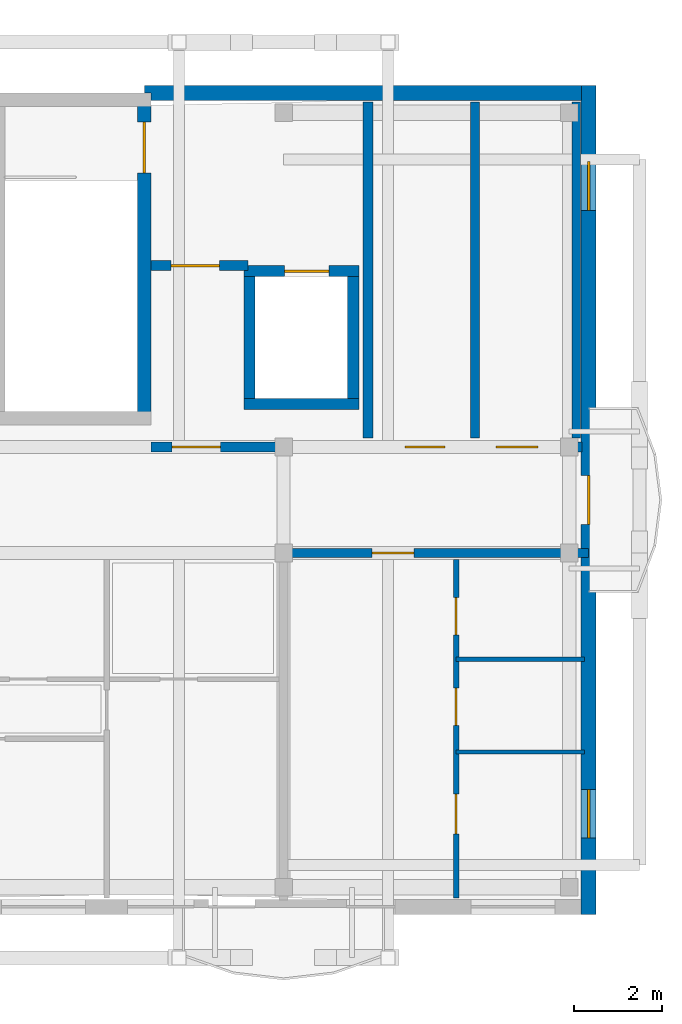
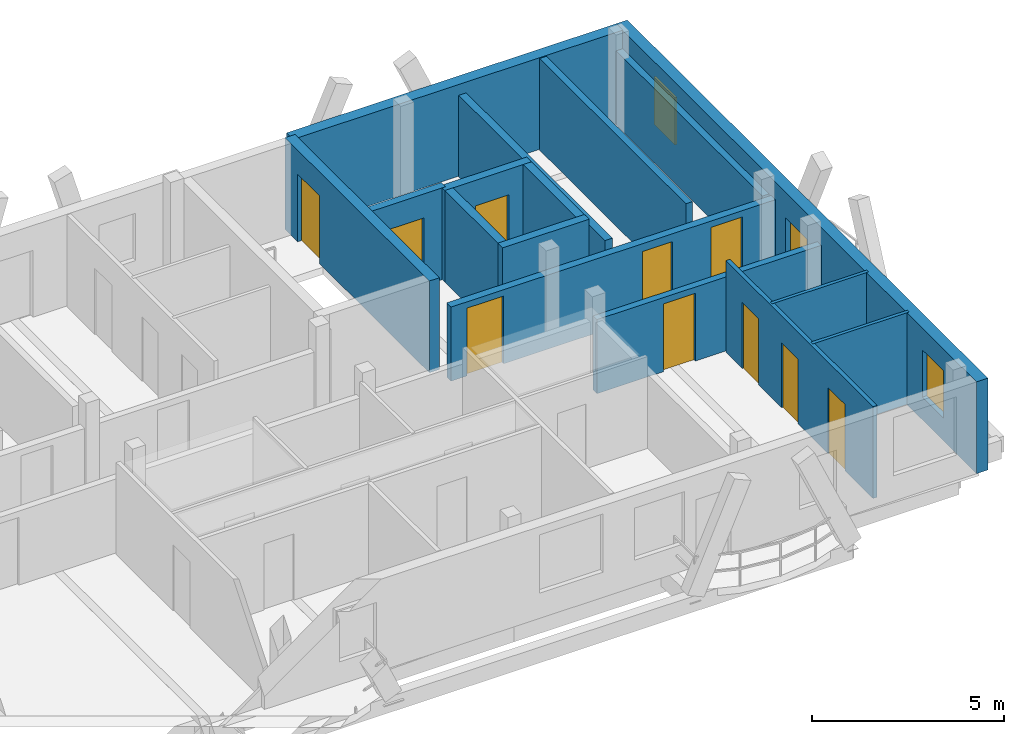
# One storey, part 5 of 7: 16 walls, 11 doors, 2 windows, 13 openings.
"""IFC4 building model written with IfcOpenShell, lengths in metres."""

from ifc_helpers import new_model, si_unit, direction, frame, frame_2d, origin, origin_with_axes, place, context, subcontext, project, spatial, rectangle, extrude, material, layer, layer_set, type_object, element, fill, save


model = new_model("IFC4")

# Units and contexts
model_context = context("Model", 3, precision=1e-05, world=origin(), true_north=direction((0.0, 1.0)))
body_context = subcontext(model_context, "Body", "Model", "MODEL_VIEW")
ifc_project = project(units=[si_unit("LENGTHUNIT", "METRE"), si_unit("AREAUNIT", "SQUARE_METRE"), si_unit("VOLUMEUNIT", "CUBIC_METRE"), si_unit("PLANEANGLEUNIT", "RADIAN"), si_unit("MASSUNIT", "GRAM", prefix="KILO")], contexts=[model_context])

# Site, building, storey
site_placement = place(None, origin())
site = spatial("IfcSite", under=ifc_project, at=site_placement, CompositionType="ELEMENT")
building_placement = place(site_placement, origin())
building = spatial("IfcBuilding", under=site, at=building_placement, Name="Zavelmont Quarter", CompositionType="ELEMENT")
storey_placement = place(building_placement, frame((0.0, 0.0, 46.39990234375)))
storey = spatial("IfcBuildingStorey", under=building, at=storey_placement, Name="L14", CompositionType="ELEMENT", Elevation=46.39990234375)

# Wall
ifc_material_1 = material(Name="Natural Belgian limestone", Category="masonry")
ifc_layer_1 = layer(ifc_material_1, 0.340087890625)
ifc_layer_set_1 = layer_set([ifc_layer_1], Name="Natural Belgian limestone")
wall_type_1 = type_object("IfcWallType", Name="EW03", PredefinedType="STANDARD", material=ifc_layer_set_1)
wall_1_placement = place(storey_placement, frame((31.35009765625, 18.39990234375, 0.0), z_axis=(0.0, 0.0, 1.0), x_axis=(1.0, 0.0, 0.0)))
element("IfcWall", 1, at=wall_1_placement, inside=storey, type_object=wall_type_1, Name="L14 exterior limestone wall EW03", PredefinedType="STANDARD", context=body_context, shape_type="SweptSolid", body=[
    extrude(rectangle(XDim=9.889892578125, YDim=0.340087890625, at=frame_2d((4.94482421875, 0.0))), origin(), (0.0, 0.0, 1.0), 2.91015625),
])

# Wall, openings, door, windows
wall_2_placement = place(storey_placement, frame((41.39990234375, -0.169921875, 0.0), z_axis=(0.0, 0.0, 1.0), x_axis=(0.0, 1.0, 0.0)))
wall_2 = element("IfcWall", 2, at=wall_2_placement, inside=storey, type_object=wall_type_1, Name="L14 exterior limestone wall EW03", PredefinedType="STANDARD", context=body_context, shape_type="SweptSolid", body=[
    extrude(rectangle(XDim=18.739990234375, YDim=0.340087890625, at=frame_2d((9.3701171875, 0.0))), origin(), (0.0, 0.0, 1.0), 2.91015625),
])
opening_1_placement = place(wall_2_placement, frame((8.820068359375, 0.0, 0.0)))
opening_1 = element("IfcOpeningElement", 3, at=opening_1_placement, cuts=wall_2, Name="Opening DR04B", PredefinedType="OPENING", context=body_context, shape_type="SweptSolid", body=[
    extrude(rectangle(XDim=1.10009765625, YDim=2.10009765625, at=frame_2d((0.550048828125, 1.050048828125))), frame((0.0, 0.18212890625, 0.0), z_axis=(0.0, -1.0, 0.0), x_axis=(1.0, 0.0, 0.0)), (0.0, 0.0, 1.0), 0.364013671875),
])
opening_2_placement = place(wall_2_placement, frame((1.719970703125, 0.0, 0.719970703125)))
opening_2 = element("IfcOpeningElement", 4, at=opening_2_placement, cuts=wall_2, Name="Opening WN09", PredefinedType="OPENING", context=body_context, shape_type="SweptSolid", body=[
    extrude(rectangle(XDim=1.10009765625, YDim=1.5, at=frame_2d((0.550048828125, 0.75))), frame((0.0, 0.18212890625, 0.0), z_axis=(0.0, -1.0, 0.0), x_axis=(1.0, 0.0, 0.0)), (0.0, 0.0, 1.0), 0.364013671875),
])
opening_3_placement = place(wall_2_placement, frame((15.919921875, 0.0, 0.719970703125)))
opening_3 = element("IfcOpeningElement", 5, at=opening_3_placement, cuts=wall_2, Name="Opening WN09", PredefinedType="OPENING", context=body_context, shape_type="SweptSolid", body=[
    extrude(rectangle(XDim=1.10009765625, YDim=1.5, at=frame_2d((0.550048828125, 0.75))), frame((0.0, 0.18212890625, 0.0), z_axis=(0.0, -1.0, 0.0), x_axis=(1.0, 0.0, 0.0)), (0.0, 0.0, 1.0), 0.364013671875),
])
ifc_material_2 = material(Name="Thermally broken aluminium and double safety glass", Category="aluminium")
door_type_1 = type_object("IfcDoorType", Name="DR04B", OperationType="NOTDEFINED", PredefinedType="DOOR", material=ifc_material_2)
door_1_placement = place(opening_1_placement, origin_with_axes())
door_1 = element("IfcDoor", 6, at=door_1_placement, inside=storey, type_object=door_type_1, Name="Block A L14 terrace or vase balcony door", OperationType="SINGLE_SWING_RIGHT", OverallHeight=2.10009765625, OverallWidth=1.10009765625, PredefinedType="DOOR", context=body_context, shape_type="SweptSolid", body=[
    extrude(rectangle(XDim=1.10009765625, YDim=2.10009765625, at=frame_2d((0.550048828125, 1.050048828125))), frame((0.0, 0.02490234375, 0.0), z_axis=(0.0, -1.0, 0.0), x_axis=(1.0, 0.0, 0.0)), (0.0, 0.0, 1.0), 0.050048828125),
])
fill(opening_1, door_1)
ifc_material_3 = material(Name="Double low-E insulated glazing in thermally broken aluminium frame", Category="aluminium")
window_type = type_object("IfcWindowType", Name="WN09", PartitioningType="SINGLE_PANEL", PredefinedType="WINDOW", material=ifc_material_3)
window_1_placement = place(opening_2_placement, origin_with_axes())
window_1 = element("IfcWindow", 7, at=window_1_placement, inside=storey, type_object=window_type, Name="L14 window WN09", OverallHeight=1.5, OverallWidth=1.10009765625, PartitioningType="SINGLE_PANEL", PredefinedType="WINDOW", context=body_context, shape_type="SweptSolid", body=[
    extrude(rectangle(XDim=1.10009765625, YDim=1.5, at=frame_2d((0.550048828125, 0.75))), frame((0.0, 0.030029296875, 0.0), z_axis=(0.0, -1.0, 0.0), x_axis=(1.0, 0.0, 0.0)), (0.0, 0.0, 1.0), 0.06005859375),
])
fill(opening_2, window_1)
window_2_placement = place(opening_3_placement, origin_with_axes())
window_2 = element("IfcWindow", 8, at=window_2_placement, inside=storey, type_object=window_type, Name="L14 window WN09", OverallHeight=1.5, OverallWidth=1.10009765625, PartitioningType="SINGLE_PANEL", PredefinedType="WINDOW", context=body_context, shape_type="SweptSolid", body=[
    extrude(rectangle(XDim=1.10009765625, YDim=1.5, at=frame_2d((0.550048828125, 0.75))), frame((0.0, 0.030029296875, 0.0), z_axis=(0.0, -1.0, 0.0), x_axis=(1.0, 0.0, 0.0)), (0.0, 0.0, 1.0), 0.06005859375),
])
fill(opening_3, window_2)

# Walls
ifc_material_4 = material(Name="Calcium-silicate blockwork and acoustic plaster", Category="masonry")
ifc_layer_2 = layer(ifc_material_4, 0.199951171875)
ifc_layer_set_2 = layer_set([ifc_layer_2], Name="Calcium-silicate blockwork and acoustic plaster")
wall_type_2 = type_object("IfcWallType", Name="IW01", PredefinedType="PARTITIONING", material=ifc_layer_set_2)
wall_3_placement = place(storey_placement, frame((38.824951171875, 10.60009765625, 0.0), z_axis=(0.0, 0.0, 1.0), x_axis=(0.0, 1.0, 0.0)))
element("IfcWall", 9, at=wall_3_placement, inside=storey, type_object=wall_type_2, Name="L14 Service riser divider wall IW01", PredefinedType="PARTITIONING", context=body_context, shape_type="SweptSolid", body=[
    extrude(rectangle(XDim=7.599853515625, YDim=0.199951171875, at=frame_2d((3.7998046875, 0.0))), origin(), (0.0, 0.0, 1.0), 2.91015625),
])
wall_4_placement = place(storey_placement, frame((41.1201171875, 10.60009765625, 0.0), z_axis=(0.0, 0.0, 1.0), x_axis=(0.0, 1.0, 0.0)))
element("IfcWall", 10, at=wall_4_placement, inside=storey, type_object=wall_type_2, Name="L14 Core service end wall IW01", PredefinedType="PARTITIONING", context=body_context, shape_type="SweptSolid", body=[
    extrude(rectangle(XDim=7.599853515625, YDim=0.199951171875, at=frame_2d((3.7998046875, 0.0))), origin(), (0.0, 0.0, 1.0), 2.35009765625),
])

# Wall, opening, door
wall_5_placement = place(storey_placement, frame((34.5, 8.0, 0.0), z_axis=(0.0, 0.0, 1.0), x_axis=(1.0, 0.0, 0.0)))
wall_5 = element("IfcWall", 11, at=wall_5_placement, inside=storey, type_object=wall_type_2, Name="L14 Corridor compartment wall IW01", PredefinedType="PARTITIONING", context=body_context, shape_type="SweptSolid", body=[
    extrude(rectangle(XDim=6.89990234375, YDim=0.199951171875, at=frame_2d((3.449951171875, 0.0))), origin(), (0.0, 0.0, 1.0), 2.35009765625),
])
opening_4_placement = place(wall_5_placement, frame((2.0, 0.0, 0.0)))
opening_4 = element("IfcOpeningElement", 12, at=opening_4_placement, cuts=wall_5, Name="Opening DR02", PredefinedType="OPENING", context=body_context, shape_type="SweptSolid", body=[
    extrude(rectangle(XDim=0.949951171875, YDim=2.14990234375, at=frame_2d((0.47509765625, 1.074951171875))), frame((0.0, 0.11181640625, 0.0), z_axis=(0.0, -1.0, 0.0), x_axis=(1.0, 0.0, 0.0)), (0.0, 0.0, 1.0), 0.223876953125),
])
ifc_material_5 = material(Name="Solid-core oak fire leaf in steel frame", Category="steel")
door_type_2 = type_object("IfcDoorType", Name="DR02", OperationType="NOTDEFINED", PredefinedType="DOOR", material=ifc_material_5)
door_2_placement = place(opening_4_placement, frame((0.949951171875, 0.0, 0.0), z_axis=(0.0, 0.0, 1.0), x_axis=(-1.0, 0.0, 0.0)))
door_2 = element("IfcDoor", 13, at=door_2_placement, inside=storey, type_object=door_type_2, Name="L14 door DR02", OperationType="SINGLE_SWING_RIGHT", OverallHeight=2.14990234375, OverallWidth=0.949951171875, PredefinedType="DOOR", context=body_context, shape_type="SweptSolid", body=[
    extrude(rectangle(XDim=0.949951171875, YDim=2.14990234375, at=frame_2d((0.47509765625, 1.074951171875))), frame((0.0, 0.02490234375, 0.0), z_axis=(0.0, -1.0, 0.0), x_axis=(1.0, 0.0, 0.0)), (0.0, 0.0, 1.0), 0.050048828125),
])
fill(opening_4, door_2)

# Wall
ifc_material_6 = material(Name="Reinforced masonry fire compartment wall", Category="masonry")
ifc_layer_3 = layer(ifc_material_6, 0.22509765625)
ifc_layer_set_3 = layer_set([ifc_layer_3], Name="Reinforced masonry fire compartment wall")
wall_type_3 = type_object("IfcWallType", Name="IW02", PredefinedType="PARTITIONING", material=ifc_layer_set_3)
wall_6_placement = place(storey_placement, frame((36.409912109375, 10.60009765625, 0.0), z_axis=(0.0, 0.0, 1.0), x_axis=(0.0, 1.0, 0.0)))
element("IfcWall", 14, at=wall_6_placement, inside=storey, type_object=wall_type_3, Name="L14 Firefighting lobby enclosure wall IW02", PredefinedType="PARTITIONING", context=body_context, shape_type="SweptSolid", body=[
    extrude(rectangle(XDim=7.599853515625, YDim=0.22509765625, at=frame_2d((3.7998046875, 0.0))), origin(), (0.0, 0.0, 1.0), 2.590087890625),
])

# Wall, opening, door
wall_7_placement = place(storey_placement, frame((31.5, 14.5, 0.0), z_axis=(0.0, 0.0, 1.0), x_axis=(1.0, 0.0, 0.0)))
wall_7 = element("IfcWall", 15, at=wall_7_placement, inside=storey, type_object=wall_type_3, Name="L14 Firefighting lobby threshold wall IW02", PredefinedType="PARTITIONING", context=body_context, shape_type="SweptSolid", body=[
    extrude(rectangle(XDim=2.199951171875, YDim=0.22509765625, at=frame_2d((1.10009765625, 0.0))), origin(), (0.0, 0.0, 1.0), 2.91015625),
])
opening_5_placement = place(wall_7_placement, frame((0.449951171875, 0.0, 0.0)))
opening_5 = element("IfcOpeningElement", 16, at=opening_5_placement, cuts=wall_7, Name="Opening DR10", PredefinedType="OPENING", context=body_context, shape_type="SweptSolid", body=[
    extrude(rectangle(XDim=1.10009765625, YDim=2.14990234375, at=frame_2d((0.550048828125, 1.074951171875))), frame((0.0, 0.12451171875, 0.0), z_axis=(0.0, -1.0, 0.0), x_axis=(1.0, 0.0, 0.0)), (0.0, 0.0, 1.0), 0.2490234375),
])
ifc_material_7 = material(Name="Painted steel lobby fire door", Category="steel")
door_type_3 = type_object("IfcDoorType", Name="DR10", OperationType="NOTDEFINED", PredefinedType="DOOR", material=ifc_material_7)
door_3_placement = place(opening_5_placement, origin_with_axes())
door_3 = element("IfcDoor", 17, at=door_3_placement, inside=storey, type_object=door_type_3, Name="Firefighting lobby fire door", OperationType="SINGLE_SWING_LEFT", OverallHeight=2.14990234375, OverallWidth=1.10009765625, PredefinedType="DOOR", context=body_context, shape_type="SweptSolid", body=[
    extrude(rectangle(XDim=1.10009765625, YDim=2.14990234375, at=frame_2d((0.550048828125, 1.074951171875))), frame((0.0, 0.02490234375, 0.0), z_axis=(0.0, -1.0, 0.0), x_axis=(1.0, 0.0, 0.0)), (0.0, 0.0, 1.0), 0.050048828125),
])
fill(opening_5, door_3)

# Wall, openings, doors
wall_8_placement = place(storey_placement, frame((31.5, 10.39990234375, 0.0), z_axis=(0.0, 0.0, 1.0), x_axis=(1.0, 0.0, 0.0)))
wall_8 = element("IfcWall", 18, at=wall_8_placement, inside=storey, type_object=wall_type_3, Name="L14 Core corridor fire wall IW02", PredefinedType="PARTITIONING", context=body_context, shape_type="SweptSolid", body=[
    extrude(rectangle(XDim=9.75, YDim=0.22509765625, at=frame_2d((4.875, 0.0))), origin(), (0.0, 0.0, 1.0), 2.35009765625),
])
opening_6_placement = place(wall_8_placement, frame((0.47509765625, 0.0, 0.0)))
opening_6 = element("IfcOpeningElement", 19, at=opening_6_placement, cuts=wall_8, Name="Opening DR10", PredefinedType="OPENING", context=body_context, shape_type="SweptSolid", body=[
    extrude(rectangle(XDim=1.10009765625, YDim=2.14990234375, at=frame_2d((0.550048828125, 1.074951171875))), frame((0.0, 0.12451171875, 0.0), z_axis=(0.0, -1.0, 0.0), x_axis=(1.0, 0.0, 0.0)), (0.0, 0.0, 1.0), 0.2490234375),
])
opening_7_placement = place(wall_8_placement, frame((5.75, 0.0, 0.0)))
opening_7 = element("IfcOpeningElement", 20, at=opening_7_placement, cuts=wall_8, Name="Opening DR11", PredefinedType="OPENING", context=body_context, shape_type="SweptSolid", body=[
    extrude(rectangle(XDim=0.89990234375, YDim=2.10009765625, at=frame_2d((0.449951171875, 1.050048828125))), frame((0.0, 0.12451171875, 0.0), z_axis=(0.0, -1.0, 0.0), x_axis=(1.0, 0.0, 0.0)), (0.0, 0.0, 1.0), 0.2490234375),
])
opening_8_placement = place(wall_8_placement, frame((7.800048828125, 0.0, 0.0)))
opening_8 = element("IfcOpeningElement", 21, at=opening_8_placement, cuts=wall_8, Name="Opening DR02", PredefinedType="OPENING", context=body_context, shape_type="SweptSolid", body=[
    extrude(rectangle(XDim=0.949951171875, YDim=2.14990234375, at=frame_2d((0.47509765625, 1.074951171875))), frame((0.0, 0.12451171875, 0.0), z_axis=(0.0, -1.0, 0.0), x_axis=(1.0, 0.0, 0.0)), (0.0, 0.0, 1.0), 0.2490234375),
])
door_4_placement = place(opening_8_placement, frame((0.949951171875, 0.0, 0.0), z_axis=(0.0, 0.0, 1.0), x_axis=(-1.0, 0.0, 0.0)))
door_4 = element("IfcDoor", 22, at=door_4_placement, inside=storey, type_object=door_type_2, Name="Auxiliary store corridor door", OperationType="SINGLE_SWING_RIGHT", OverallHeight=2.14990234375, OverallWidth=0.949951171875, PredefinedType="DOOR", context=body_context, shape_type="SweptSolid", body=[
    extrude(rectangle(XDim=0.949951171875, YDim=2.14990234375, at=frame_2d((0.47509765625, 1.074951171875))), frame((0.0, 0.02490234375, 0.0), z_axis=(0.0, -1.0, 0.0), x_axis=(1.0, 0.0, 0.0)), (0.0, 0.0, 1.0), 0.050048828125),
])
fill(opening_8, door_4)
door_5_placement = place(opening_6_placement, origin_with_axes())
door_5 = element("IfcDoor", 23, at=door_5_placement, inside=storey, type_object=door_type_3, Name="Core vestibule fire door", OperationType="SINGLE_SWING_RIGHT", OverallHeight=2.14990234375, OverallWidth=1.10009765625, PredefinedType="DOOR", context=body_context, shape_type="SweptSolid", body=[
    extrude(rectangle(XDim=1.10009765625, YDim=2.14990234375, at=frame_2d((0.550048828125, 1.074951171875))), frame((0.0, 0.02490234375, 0.0), z_axis=(0.0, -1.0, 0.0), x_axis=(1.0, 0.0, 0.0)), (0.0, 0.0, 1.0), 0.050048828125),
])
fill(opening_6, door_5)
ifc_material_8 = material(Name="Painted steel service-riser fire door", Category="steel")
door_type_4 = type_object("IfcDoorType", Name="DR11", OperationType="NOTDEFINED", PredefinedType="DOOR", material=ifc_material_8)
door_6_placement = place(opening_7_placement, frame((0.89990234375, 0.0, 0.0), z_axis=(0.0, 0.0, 1.0), x_axis=(-1.0, 0.0, 0.0)))
door_6 = element("IfcDoor", 24, at=door_6_placement, inside=storey, type_object=door_type_4, Name="Service riser fire door", OperationType="SINGLE_SWING_LEFT", OverallHeight=2.10009765625, OverallWidth=0.89990234375, PredefinedType="DOOR", context=body_context, shape_type="SweptSolid", body=[
    extrude(rectangle(XDim=0.89990234375, YDim=2.10009765625, at=frame_2d((0.449951171875, 1.050048828125))), frame((0.0, 0.02490234375, 0.0), z_axis=(0.0, -1.0, 0.0), x_axis=(1.0, 0.0, 0.0)), (0.0, 0.0, 1.0), 0.050048828125),
])
fill(opening_7, door_6)

ifc_material_9 = material(Name="Double gypsum board on acoustic steel stud", Category="steel")
ifc_layer_4 = layer(ifc_material_9, 0.125)
ifc_layer_set_4 = layer_set([ifc_layer_4], Name="Double gypsum board on acoustic steel stud")
wall_type_4 = type_object("IfcWallType", Name="IW03", PredefinedType="PARTITIONING", material=ifc_layer_set_4)
wall_9_placement = place(storey_placement, frame((38.39990234375, 7.85009765625, 0.0), z_axis=(0.0, 0.0, 1.0), x_axis=(0.0, -1.0, 0.0)))
wall_9 = element("IfcWall", 25, at=wall_9_placement, inside=storey, type_object=wall_type_4, Name="L14 Partition IW03", PredefinedType="PARTITIONING", context=body_context, shape_type="SweptSolid", body=[
    extrude(rectangle(XDim=7.650146484375, YDim=0.125, at=frame_2d((3.8251953125, 0.0))), origin(), (0.0, 0.0, 1.0), 2.91015625),
])
opening_9_placement = place(wall_9_placement, frame((0.85009765625, 0.0, 0.0)))
opening_9 = element("IfcOpeningElement", 26, at=opening_9_placement, cuts=wall_9, Name="Opening DR16", PredefinedType="OPENING", context=body_context, shape_type="SweptSolid", body=[
    extrude(rectangle(XDim=0.85009765625, YDim=2.10009765625, at=frame_2d((0.425048828125, 1.050048828125))), frame((0.0, 0.074462890625, 0.0), z_axis=(0.0, -1.0, 0.0), x_axis=(1.0, 0.0, 0.0)), (0.0, 0.0, 1.0), 0.14892578125),
])
opening_10_placement = place(wall_9_placement, frame((2.89990234375, 0.0, 0.0)))
opening_10 = element("IfcOpeningElement", 27, at=opening_10_placement, cuts=wall_9, Name="Opening DR06", PredefinedType="OPENING", context=body_context, shape_type="SweptSolid", body=[
    extrude(rectangle(XDim=0.85009765625, YDim=2.050048828125, at=frame_2d((0.425048828125, 1.02490234375))), frame((0.0, 0.074462890625, 0.0), z_axis=(0.0, -1.0, 0.0), x_axis=(1.0, 0.0, 0.0)), (0.0, 0.0, 1.0), 0.14892578125),
])
opening_11_placement = place(wall_9_placement, frame((5.300048828125, 0.0, 0.0)))
opening_11 = element("IfcOpeningElement", 28, at=opening_11_placement, cuts=wall_9, Name="Opening DR05", PredefinedType="OPENING", context=body_context, shape_type="SweptSolid", body=[
    extrude(rectangle(XDim=0.89990234375, YDim=2.10009765625, at=frame_2d((0.449951171875, 1.050048828125))), frame((0.0, 0.074462890625, 0.0), z_axis=(0.0, -1.0, 0.0), x_axis=(1.0, 0.0, 0.0)), (0.0, 0.0, 1.0), 0.14892578125),
])
ifc_material_10 = material(Name="Engineered oak flush interior door")
door_type_5 = type_object("IfcDoorType", Name="DR05", OperationType="NOTDEFINED", PredefinedType="DOOR", material=ifc_material_10)
door_7_placement = place(opening_11_placement, origin_with_axes())
door_7 = element("IfcDoor", 29, at=door_7_placement, inside=storey, type_object=door_type_5, Name="L14 door DR05", OperationType="SINGLE_SWING_RIGHT", OverallHeight=2.10009765625, OverallWidth=0.89990234375, PredefinedType="DOOR", context=body_context, shape_type="SweptSolid", body=[
    extrude(rectangle(XDim=0.89990234375, YDim=2.10009765625, at=frame_2d((0.449951171875, 1.050048828125))), frame((0.0, 0.02490234375, 0.0), z_axis=(0.0, -1.0, 0.0), x_axis=(1.0, 0.0, 0.0)), (0.0, 0.0, 1.0), 0.050048828125),
])
fill(opening_11, door_7)
ifc_material_11 = material(Name="Moisture-resistant painted wet-room door")
door_type_6 = type_object("IfcDoorType", Name="DR06", OperationType="NOTDEFINED", PredefinedType="DOOR", material=ifc_material_11)
door_8_placement = place(opening_10_placement, frame((0.85009765625, 0.0, 0.0), z_axis=(0.0, 0.0, 1.0), x_axis=(-1.0, 0.0, 0.0)))
door_8 = element("IfcDoor", 30, at=door_8_placement, inside=storey, type_object=door_type_6, Name="L14 door DR06", OperationType="SINGLE_SWING_LEFT", OverallHeight=2.050048828125, OverallWidth=0.85009765625, PredefinedType="DOOR", context=body_context, shape_type="SweptSolid", body=[
    extrude(rectangle(XDim=0.85009765625, YDim=2.050048828125, at=frame_2d((0.425048828125, 1.02490234375))), frame((0.0, 0.02490234375, 0.0), z_axis=(0.0, -1.0, 0.0), x_axis=(1.0, 0.0, 0.0)), (0.0, 0.0, 1.0), 0.050048828125),
])
fill(opening_10, door_8)
door_type_7 = type_object("IfcDoorType", Name="DR16", OperationType="NOTDEFINED", PredefinedType="DOOR", material=ifc_material_10)
door_9_placement = place(opening_9_placement, origin_with_axes())
door_9 = element("IfcDoor", 31, at=door_9_placement, inside=storey, type_object=door_type_7, Name="L14 door DR16", OperationType="SINGLE_SWING_RIGHT", OverallHeight=2.10009765625, OverallWidth=0.85009765625, PredefinedType="DOOR", context=body_context, shape_type="SweptSolid", body=[
    extrude(rectangle(XDim=0.85009765625, YDim=2.10009765625, at=frame_2d((0.425048828125, 1.050048828125))), frame((0.0, 0.02490234375, 0.0), z_axis=(0.0, -1.0, 0.0), x_axis=(1.0, 0.0, 0.0)), (0.0, 0.0, 1.0), 0.050048828125),
])
fill(opening_9, door_9)

# Walls
ifc_material_12 = material(Name="Moisture-resistant gypsum board on steel stud", Category="steel")
ifc_layer_5 = layer(ifc_material_12, 0.10009765625)
ifc_layer_set_5 = layer_set([ifc_layer_5], Name="Moisture-resistant gypsum board on steel stud")
wall_type_5 = type_object("IfcWallType", Name="IW04", PredefinedType="PARTITIONING", material=ifc_layer_set_5)
for number, where, z_axis, x_axis, name in (
    (32, (38.39990234375, 5.60009765625, 0.0), (0.0, 0.0, 1.0), (1.0, 0.0, 0.0), "L14 Partition IW04"),
    (33, (38.39990234375, 3.5, 0.0), (0.0, 0.0, 1.0), (1.0, 0.0, 0.0), "L14 Partition IW04"),
):
    element("IfcWall", number, at=place(storey_placement, frame(where, z_axis=z_axis, x_axis=x_axis)), inside=storey, type_object=wall_type_5, Name=name, PredefinedType="PARTITIONING", context=body_context, shape_type="SweptSolid", body=[
        extrude(rectangle(XDim=2.900146484375, YDim=0.10009765625, at=frame_2d((1.4501953125, 0.0))), origin(), (0.0, 0.0, 1.0), 2.91015625),
    ])

# Wall, opening, door
ifc_material_13 = material(Name="Concrete C40/50", Category="concrete")
ifc_layer_6 = layer(ifc_material_13, 0.300048828125)
ifc_layer_set_6 = layer_set([ifc_layer_6], Name="Concrete C40/50")
wall_type_6 = type_object("IfcWallType", Name="SW01", PredefinedType="SHEAR", material=ifc_layer_set_6)
wall_10_placement = place(storey_placement, frame((31.35009765625, 10.89990234375, 0.0), z_axis=(0.0, 0.0, 1.0), x_axis=(0.0, 1.0, 0.0)))
wall_10 = element("IfcWall", 34, at=wall_10_placement, inside=storey, type_object=wall_type_6, Name="L14 ST02 lobby shear wall SW01", PredefinedType="SHEAR", context=body_context, shape_type="SweptSolid", body=[
    extrude(rectangle(XDim=7.5, YDim=0.300048828125, at=frame_2d((3.75, 0.0))), origin(), (0.0, 0.0, 1.0), 2.91015625),
])
opening_12_placement = place(wall_10_placement, frame((5.699951171875, 0.0, 0.0)))
opening_12 = element("IfcOpeningElement", 35, at=opening_12_placement, cuts=wall_10, Name="Opening DR09", PredefinedType="OPENING", context=body_context, shape_type="SweptSolid", body=[
    extrude(rectangle(XDim=1.14990234375, YDim=2.14990234375, at=frame_2d((0.574951171875, 1.074951171875))), frame((0.0, 0.162109375, 0.0), z_axis=(0.0, -1.0, 0.0), x_axis=(1.0, 0.0, 0.0)), (0.0, 0.0, 1.0), 0.323974609375),
])
ifc_material_14 = material(Name="Painted steel stair-core fire door", Category="steel")
door_type_8 = type_object("IfcDoorType", Name="DR09", OperationType="NOTDEFINED", PredefinedType="DOOR", material=ifc_material_14)
door_10_placement = place(opening_12_placement, origin_with_axes())
door_10 = element("IfcDoor", 36, at=door_10_placement, inside=storey, type_object=door_type_8, Name="ST02 protected stair door", OperationType="SINGLE_SWING_LEFT", OverallHeight=2.14990234375, OverallWidth=1.14990234375, PredefinedType="DOOR", context=body_context, shape_type="SweptSolid", body=[
    extrude(rectangle(XDim=1.14990234375, YDim=2.14990234375, at=frame_2d((0.574951171875, 1.074951171875))), frame((0.0, 0.02490234375, 0.0), z_axis=(0.0, -1.0, 0.0), x_axis=(1.0, 0.0, 0.0)), (0.0, 0.0, 1.0), 0.050048828125),
])
fill(opening_12, door_10)

ifc_layer_7 = layer(ifc_material_13, 0.25)
ifc_layer_set_7 = layer_set([ifc_layer_7], Name="Concrete C40/50")
wall_type_7 = type_object("IfcWallType", Name="SW02", PredefinedType="SHEAR", material=ifc_layer_set_7)
wall_11_placement = place(storey_placement, frame((33.60009765625, 14.375, 0.0), z_axis=(0.0, 0.0, 1.0), x_axis=(1.0, 0.0, 0.0)))
wall_11 = element("IfcWall", 37, at=wall_11_placement, inside=storey, type_object=wall_type_7, Name="L14 Lift LF02 landing shaft wall SW02", PredefinedType="SHEAR", context=body_context, shape_type="SweptSolid", body=[
    extrude(rectangle(XDim=2.599853515625, YDim=0.25, at=frame_2d((1.2998046875, 0.0))), origin(), (0.0, 0.0, 1.0), 2.91015625),
])
opening_13_placement = place(wall_11_placement, frame((0.925048828125, 0.0, 0.0)))
opening_13 = element("IfcOpeningElement", 38, at=opening_13_placement, cuts=wall_11, Name="Opening LD01", PredefinedType="OPENING", context=body_context, shape_type="SweptSolid", body=[
    extrude(rectangle(XDim=1.0, YDim=2.10009765625, at=frame_2d((0.5, 1.050048828125))), frame((0.0, 0.136962890625, 0.0), z_axis=(0.0, -1.0, 0.0), x_axis=(1.0, 0.0, 0.0)), (0.0, 0.0, 1.0), 0.27392578125),
])
ifc_material_15 = material(Name="Brushed stainless-steel automatic sliding landing door", Category="steel")
door_type_9 = type_object("IfcDoorType", Name="LD01", OperationType="SLIDING_TO_LEFT", PredefinedType="DOOR", material=ifc_material_15)
door_11_placement = place(opening_13_placement, origin_with_axes())
door_11 = element("IfcDoor", 39, at=door_11_placement, inside=storey, type_object=door_type_9, Name="Lift LF02 sliding landing door", OperationType="SLIDING_TO_LEFT", OverallHeight=2.10009765625, OverallWidth=1.0, PredefinedType="DOOR", context=body_context, shape_type="SweptSolid", body=[
    extrude(rectangle(XDim=1.0, YDim=2.10009765625, at=frame_2d((0.5, 1.050048828125))), frame((0.0, 0.02490234375, 0.0), z_axis=(0.0, -1.0, 0.0), x_axis=(1.0, 0.0, 0.0)), (0.0, 0.0, 1.0), 0.050048828125),
])
fill(opening_13, door_11)

# Walls
wall_12_placement = place(storey_placement, frame((33.60009765625, 11.375, 0.0), z_axis=(0.0, 0.0, 1.0), x_axis=(1.0, 0.0, 0.0)))
element("IfcWall", 40, at=wall_12_placement, inside=storey, type_object=wall_type_7, Name="L14 Lift LF02 back shaft wall SW02", PredefinedType="SHEAR", context=body_context, shape_type="SweptSolid", body=[
    extrude(rectangle(XDim=2.599853515625, YDim=0.25, at=frame_2d((1.2998046875, 0.0))), origin(), (0.0, 0.0, 1.0), 2.91015625),
])
for number, where, z_axis, x_axis, name in (
    (41, (33.72509765625, 11.25, 0.0), (0.0, 0.0, 1.0), (0.0, 1.0, 0.0), "L14 Lift LF02 west shaft wall SW02"),
    (42, (36.074951171875, 11.25, 0.0), (0.0, 0.0, 1.0), (0.0, 1.0, 0.0), "L14 Lift LF02 east shaft wall SW02"),
):
    element("IfcWall", number, at=place(storey_placement, frame(where, z_axis=z_axis, x_axis=x_axis)), inside=storey, type_object=wall_type_7, Name=name, PredefinedType="SHEAR", context=body_context, shape_type="SweptSolid", body=[
        extrude(rectangle(XDim=3.25, YDim=0.25, at=frame_2d((1.625, 0.0))), origin(), (0.0, 0.0, 1.0), 2.91015625),
    ])

save(model, "model.ifc")
